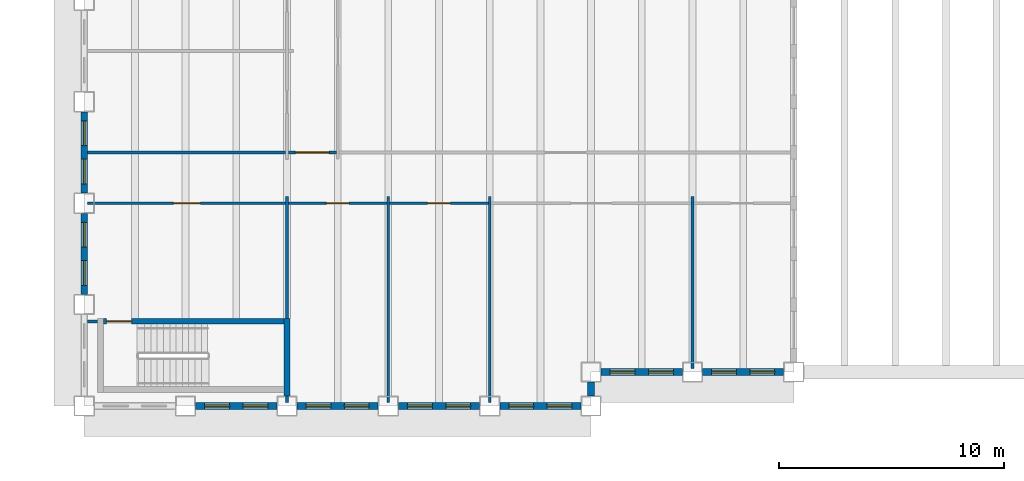
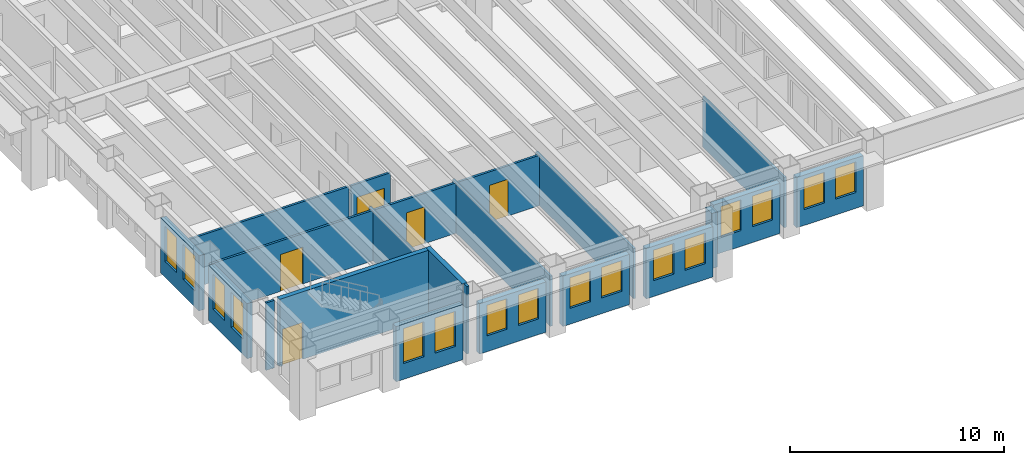
# One storey, part 3 of 13: 22 walls, 16 windows, 5 doors, 21 openings.
"""IFC4 building model written with IfcOpenShell, lengths in metres."""

from ifc_helpers import new_model, si_unit, direction, frame, frame_2d, origin, place, context, subcontext, project, spatial, rectangle, extrude, material, layer, layer_set, type_object, element, fill, save


model = new_model("IFC4")

# Units and contexts
model_context = context("Model", 3, precision=1e-05, world=origin(), true_north=direction((0.0, 1.0)))
body_context = subcontext(model_context, "Body", "Model", "MODEL_VIEW")
ifc_project = project(units=[si_unit("LENGTHUNIT", "METRE"), si_unit("AREAUNIT", "SQUARE_METRE"), si_unit("VOLUMEUNIT", "CUBIC_METRE"), si_unit("PLANEANGLEUNIT", "RADIAN"), si_unit("MASSUNIT", "GRAM", prefix="KILO")], contexts=[model_context])

# Site, building, storey
site_placement = place(None, origin())
site = spatial("IfcSite", under=ifc_project, at=site_placement, CompositionType="ELEMENT")
building_placement = place(site_placement, origin())
building = spatial("IfcBuilding", under=site, at=building_placement, Name="Sennacour Bend Tower", CompositionType="ELEMENT")
storey_placement = place(building_placement, frame((0.0, 0.0, 147.0)))
storey = spatial("IfcBuildingStorey", under=building, at=storey_placement, Name="L33", CompositionType="ELEMENT", Elevation=147.0)

# Walls
ifc_material_1 = material(Name="Plasterboard partition on steel studs", Category="steel")
ifc_layer_1 = layer(ifc_material_1, 0.1201171875, Name="Plasterboard partition on steel studs", Category="steel")
ifc_layer_set_1 = layer_set([ifc_layer_1], Name="Plasterboard partition on steel studs")
wall_type_1 = type_object("IfcWallType", Name="Partition 120", PredefinedType="PARTITIONING", material=ifc_layer_set_1)
wall_1_placement = place(storey_placement, frame((9.0, 0.14990234375, 0.0), z_axis=(0.0, 0.0, 1.0), x_axis=(0.0, 1.0, 0.0)))
element("IfcWall", 1, at=wall_1_placement, inside=storey, type_object=wall_type_1, Name="P-L33-W010a", PredefinedType="PARTITIONING", context=body_context, shape_type="SweptSolid", body=[
    extrude(rectangle(XDim=0.300048828125, YDim=0.1201171875, at=frame_2d((0.14990234375, 0.0))), origin(), (0.0, 0.0, 1.0), 3.85009765625),
])
wall_2_placement = place(storey_placement, frame((9.0, 3.875, 0.0), z_axis=(0.0, 0.0, 1.0), x_axis=(0.0, 1.0, 0.0)))
element("IfcWall", 2, at=wall_2_placement, inside=storey, type_object=wall_type_1, Name="P-L33-W012a", PredefinedType="PARTITIONING", context=body_context, shape_type="SweptSolid", body=[
    extrude(rectangle(XDim=5.425048828125, YDim=0.1201171875, at=frame_2d((2.71240234375, 0.0))), origin(), (0.0, 0.0, 1.0), 2.8701171875),
])
for number, where, z_axis, x_axis, name in (
    (3, (13.5, 0.14990234375, 0.0), (0.0, 0.0, 1.0), (0.0, 1.0, 0.0), "P-L33-W019a"),
    (4, (18.0, 0.14990234375, 0.0), (0.0, 0.0, 1.0), (0.0, 1.0, 0.0), "P-L33-W022a"),
):
    element("IfcWall", number, at=place(storey_placement, frame(where, z_axis=z_axis, x_axis=x_axis)), inside=storey, type_object=wall_type_1, Name=name, PredefinedType="PARTITIONING", context=body_context, shape_type="SweptSolid", body=[
        extrude(rectangle(XDim=9.150146484375, YDim=0.1201171875, at=frame_2d((4.5751953125, 0.0))), origin(), (0.0, 0.0, 1.0), 2.8701171875),
    ])
wall_3_placement = place(storey_placement, frame((27.0, 1.64990234375, 0.0), z_axis=(0.0, 0.0, 1.0), x_axis=(0.0, 1.0, 0.0)))
element("IfcWall", 5, at=wall_3_placement, inside=storey, type_object=wall_type_1, Name="P-L33-W027a", PredefinedType="PARTITIONING", context=body_context, shape_type="SweptSolid", body=[
    extrude(rectangle(XDim=7.650146484375, YDim=0.1201171875, at=frame_2d((3.8251953125, 0.0))), origin(), (0.0, 0.0, 1.0), 2.8701171875),
])
wall_4_placement = place(storey_placement, frame((0.14990234375, 3.75, 0.0), z_axis=(0.0, 0.0, 1.0), x_axis=(1.0, 0.0, 0.0)))
element("IfcWall", 6, at=wall_4_placement, inside=storey, type_object=wall_type_1, Name="P-L33-W049a", PredefinedType="PARTITIONING", context=body_context, shape_type="SweptSolid", body=[
    extrude(rectangle(XDim=0.4501953125, YDim=0.1201171875, at=frame_2d((0.22509765625, 0.0))), origin(), (0.0, 0.0, 1.0), 3.85009765625),
])

# Wall, opening, door
wall_5_placement = place(storey_placement, frame((9.06005859375, 9.0, 0.0), z_axis=(0.0, 0.0, 1.0), x_axis=(1.0, 0.0, 0.0)))
wall_5 = element("IfcWall", 7, at=wall_5_placement, inside=storey, type_object=wall_type_1, Name="P-L33-W056ab", PredefinedType="PARTITIONING", context=body_context, shape_type="SweptSolid", body=[
    extrude(rectangle(XDim=4.3798828125, YDim=0.1201171875, at=frame_2d((2.18994140625, 0.0))), origin(), (0.0, 0.0, 1.0), 2.8701171875),
])
opening_1_placement = place(wall_5_placement, frame((1.68994140625, 0.0, 0.0)))
opening_1 = element("IfcOpeningElement", 8, at=opening_1_placement, cuts=wall_5, Name="Opening OD2", PredefinedType="OPENING", context=body_context, shape_type="SweptSolid", body=[
    extrude(rectangle(XDim=1.0, YDim=2.10009765625, at=frame_2d((0.5, 1.050048828125))), frame((0.0, 0.070068359375, 0.0), z_axis=(0.0, -1.0, 0.0), x_axis=(1.0, 0.0, 0.0)), (0.0, 0.0, 1.0), 0.14013671875),
])
ifc_material_2 = material(Name="Timber", Category="wood")
door_type_1 = type_object("IfcDoorType", Name="DR-OFFICE-1000", OperationType="NOTDEFINED", PredefinedType="DOOR", material=ifc_material_2)
door_1_placement = place(opening_1_placement, origin())
door_1 = element("IfcDoor", 9, at=door_1_placement, inside=storey, type_object=door_type_1, Name="Door", OperationType="SINGLE_SWING_LEFT", OverallHeight=2.10009765625, OverallWidth=1.0, PredefinedType="DOOR", context=body_context, shape_type="SweptSolid", body=[
    extrude(rectangle(XDim=1.0, YDim=2.10009765625, at=frame_2d((0.5, 1.050048828125))), frame((0.0, 0.02490234375, 0.0), z_axis=(0.0, -1.0, 0.0), x_axis=(1.0, 0.0, 0.0)), (0.0, 0.0, 1.0), 0.050048828125),
])
fill(opening_1, door_1)

wall_6_placement = place(storey_placement, frame((13.56005859375, 9.0, 0.0), z_axis=(0.0, 0.0, 1.0), x_axis=(1.0, 0.0, 0.0)))
wall_6 = element("IfcWall", 10, at=wall_6_placement, inside=storey, type_object=wall_type_1, Name="P-L33-W056ac", PredefinedType="PARTITIONING", context=body_context, shape_type="SweptSolid", body=[
    extrude(rectangle(XDim=4.3798828125, YDim=0.1201171875, at=frame_2d((2.18994140625, 0.0))), origin(), (0.0, 0.0, 1.0), 2.8701171875),
])
opening_2_placement = place(wall_6_placement, frame((1.68994140625, 0.0, 0.0)))
opening_2 = element("IfcOpeningElement", 11, at=opening_2_placement, cuts=wall_6, Name="Opening MD2", PredefinedType="OPENING", context=body_context, shape_type="SweptSolid", body=[
    extrude(rectangle(XDim=1.0, YDim=2.10009765625, at=frame_2d((0.5, 1.050048828125))), frame((0.0, 0.070068359375, 0.0), z_axis=(0.0, -1.0, 0.0), x_axis=(1.0, 0.0, 0.0)), (0.0, 0.0, 1.0), 0.14013671875),
])
door_type_2 = type_object("IfcDoorType", Name="DR-MEETING-1000", OperationType="NOTDEFINED", PredefinedType="DOOR", material=ifc_material_2)
door_2_placement = place(opening_2_placement, origin())
door_2 = element("IfcDoor", 12, at=door_2_placement, inside=storey, type_object=door_type_2, Name="Door", OperationType="SINGLE_SWING_LEFT", OverallHeight=2.10009765625, OverallWidth=1.0, PredefinedType="DOOR", context=body_context, shape_type="SweptSolid", body=[
    extrude(rectangle(XDim=1.0, YDim=2.10009765625, at=frame_2d((0.5, 1.050048828125))), frame((0.0, 0.02490234375, 0.0), z_axis=(0.0, -1.0, 0.0), x_axis=(1.0, 0.0, 0.0)), (0.0, 0.0, 1.0), 0.050048828125),
])
fill(opening_2, door_2)

# Wall
wall_7_placement = place(storey_placement, frame((0.14990234375, 11.25, 0.0), z_axis=(0.0, 0.0, 1.0), x_axis=(1.0, 0.0, 0.0)))
element("IfcWall", 13, at=wall_7_placement, inside=storey, type_object=wall_type_1, Name="P-L33-W060aa", PredefinedType="PARTITIONING", context=body_context, shape_type="SweptSolid", body=[
    extrude(rectangle(XDim=8.7900390625, YDim=0.1201171875, at=frame_2d((4.39501953125, 0.0))), origin(), (0.0, 0.0, 1.0), 2.8701171875),
])

# Wall, opening, door
ifc_layer_2 = layer(ifc_material_1, 0.1201171875, Name="Plasterboard partition on steel studs", Category="steel")
ifc_layer_set_2 = layer_set([ifc_layer_2], Name="Plasterboard partition on steel studs")
wall_type_2 = type_object("IfcWallType", Name="Partition 120 EI 30", PredefinedType="PARTITIONING", material=ifc_layer_set_2)
wall_8_placement = place(storey_placement, frame((0.14990234375, 9.0, 0.0), z_axis=(0.0, 0.0, 1.0), x_axis=(1.0, 0.0, 0.0)))
wall_8 = element("IfcWall", 14, at=wall_8_placement, inside=storey, type_object=wall_type_2, Name="P-L33-W056aa", PredefinedType="PARTITIONING", context=body_context, shape_type="SweptSolid", body=[
    extrude(rectangle(XDim=8.7900390625, YDim=0.1201171875, at=frame_2d((4.39501953125, 0.0))), origin(), (0.0, 0.0, 1.0), 2.8701171875),
])
opening_3_placement = place(wall_8_placement, frame((3.80517578125, 0.0, 0.0)))
opening_3 = element("IfcOpeningElement", 15, at=opening_3_placement, cuts=wall_8, Name="Opening KD2", PredefinedType="OPENING", context=body_context, shape_type="SweptSolid", body=[
    extrude(rectangle(XDim=1.199951171875, YDim=2.10009765625, at=frame_2d((0.60009765625, 1.050048828125))), frame((0.0, 0.070068359375, 0.0), z_axis=(0.0, -1.0, 0.0), x_axis=(1.0, 0.0, 0.0)), (0.0, 0.0, 1.0), 0.14013671875),
])
ifc_material_3 = material(Name="Painted steel", Category="steel")
door_type_3 = type_object("IfcDoorType", Name="DR-CORRIDOR-1200", OperationType="NOTDEFINED", PredefinedType="DOOR", material=ifc_material_3)
door_3_placement = place(opening_3_placement, origin())
door_3 = element("IfcDoor", 16, at=door_3_placement, inside=storey, type_object=door_type_3, Name="Door", OperationType="SINGLE_SWING_RIGHT", OverallHeight=2.10009765625, OverallWidth=1.199951171875, PredefinedType="DOOR", context=body_context, shape_type="SweptSolid", body=[
    extrude(rectangle(XDim=1.199951171875, YDim=2.10009765625, at=frame_2d((0.60009765625, 1.050048828125))), frame((0.0, 0.02490234375, 0.0), z_axis=(0.0, -1.0, 0.0), x_axis=(1.0, 0.0, 0.0)), (0.0, 0.0, 1.0), 0.050048828125),
])
fill(opening_3, door_3)

wall_9_placement = place(storey_placement, frame((9.06005859375, 11.25, 0.0), z_axis=(0.0, 0.0, 1.0), x_axis=(1.0, 0.0, 0.0)))
wall_9 = element("IfcWall", 17, at=wall_9_placement, inside=storey, type_object=wall_type_2, Name="P-L33-W060ab", PredefinedType="PARTITIONING", context=body_context, shape_type="SweptSolid", body=[
    extrude(rectangle(XDim=2.1298828125, YDim=0.1201171875, at=frame_2d((1.06494140625, 0.0))), origin(), (0.0, 0.0, 1.0), 2.8701171875),
])
opening_4_placement = place(wall_9_placement, frame((0.31494140625, 0.0, 0.0)))
opening_4 = element("IfcOpeningElement", 18, at=opening_4_placement, cuts=wall_9, Name="Opening KD", PredefinedType="OPENING", context=body_context, shape_type="SweptSolid", body=[
    extrude(rectangle(XDim=1.5, YDim=2.10009765625, at=frame_2d((0.75, 1.050048828125))), frame((0.0, 0.070068359375, 0.0), z_axis=(0.0, -1.0, 0.0), x_axis=(1.0, 0.0, 0.0)), (0.0, 0.0, 1.0), 0.14013671875),
])
door_type_4 = type_object("IfcDoorType", Name="DR-CORRIDOR-1500", OperationType="NOTDEFINED", PredefinedType="DOOR", material=ifc_material_3)
door_4_placement = place(opening_4_placement, origin())
door_4 = element("IfcDoor", 19, at=door_4_placement, inside=storey, type_object=door_type_4, Name="Door", OperationType="SINGLE_SWING_LEFT", OverallHeight=2.10009765625, OverallWidth=1.5, PredefinedType="DOOR", context=body_context, shape_type="SweptSolid", body=[
    extrude(rectangle(XDim=1.5, YDim=2.10009765625, at=frame_2d((0.75, 1.050048828125))), frame((0.0, 0.02490234375, 0.0), z_axis=(0.0, -1.0, 0.0), x_axis=(1.0, 0.0, 0.0)), (0.0, 0.0, 1.0), 0.050048828125),
])
fill(opening_4, door_4)

# Wall, openings, windows
ifc_material_4 = material(Name="Warm limestone cladding", Category="masonry")
ifc_layer_3 = layer(ifc_material_4, 0.050048828125, Name="Warm limestone cladding", Category="masonry")
ifc_material_5 = material(Name="Precast concrete C40/50", Category="concrete")
ifc_layer_4 = layer(ifc_material_5, 0.25, Name="Precast concrete C40/50", Category="concrete")
ifc_layer_set_3 = layer_set([ifc_layer_3, ifc_layer_4], Name="Precast concrete C40/50 with limestone cladding")
wall_type_3 = type_object("IfcWallType", Name="STONE-CLAD PRECAST SPANDREL 300", PredefinedType="STANDARD", material=ifc_layer_set_3)
wall_10_placement = place(storey_placement, frame((0.0, 13.050048828125, 0.0), z_axis=(0.0, 0.0, 1.0), x_axis=(0.0, -1.0, 0.0)))
wall_10 = element("IfcWall", 20, at=wall_10_placement, inside=storey, type_object=wall_type_3, Name="Stone spandrel and pier wall L33 23.02", PredefinedType="STANDARD", context=body_context, shape_type="SweptSolid", body=[
    extrude(rectangle(XDim=3.60009765625, YDim=0.300048828125, at=frame_2d((1.800048828125, 0.0))), origin(), (0.0, 0.0, 1.0), 3.14892578125),
])
opening_5_placement = place(wall_10_placement, frame((0.39990234375, 0.0, 0.89990234375)))
opening_5 = element("IfcOpeningElement", 21, at=opening_5_placement, cuts=wall_10, Name="Opening W19", PredefinedType="OPENING", context=body_context, shape_type="SweptSolid", body=[
    extrude(rectangle(XDim=1.10009765625, YDim=2.0, at=frame_2d((0.550048828125, 1.0))), frame((0.0, 0.16015625, 0.0), z_axis=(0.0, -1.0, 0.0), x_axis=(1.0, 0.0, 0.0)), (0.0, 0.0, 1.0), 0.320068359375),
])
opening_6_placement = place(wall_10_placement, frame((2.10009765625, 0.0, 0.89990234375)))
opening_6 = element("IfcOpeningElement", 22, at=opening_6_placement, cuts=wall_10, Name="Opening W19", PredefinedType="OPENING", context=body_context, shape_type="SweptSolid", body=[
    extrude(rectangle(XDim=1.10009765625, YDim=2.0, at=frame_2d((0.550048828125, 1.0))), frame((0.0, 0.16015625, 0.0), z_axis=(0.0, -1.0, 0.0), x_axis=(1.0, 0.0, 0.0)), (0.0, 0.0, 1.0), 0.320068359375),
])
ifc_material_6 = material(Name="Clear low-emissivity glass", Category="glass")
window_type_1 = type_object("IfcWindowType", Name="WIN-RIBBON-1100x2000", PartitioningType="SINGLE_PANEL", PredefinedType="WINDOW", material=ifc_material_6)
window_1_placement = place(opening_5_placement, origin())
window_1 = element("IfcWindow", 23, at=window_1_placement, inside=storey, type_object=window_type_1, Name="Ribbon window L33 23.02.0", OverallHeight=2.0, OverallWidth=1.10009765625, PartitioningType="SINGLE_PANEL", PredefinedType="WINDOW", context=body_context, shape_type="SweptSolid", body=[
    extrude(rectangle(XDim=1.10009765625, YDim=2.0, at=frame_2d((0.550048828125, 1.0))), frame((0.0, 0.030029296875, 0.0), z_axis=(0.0, -1.0, 0.0), x_axis=(1.0, 0.0, 0.0)), (0.0, 0.0, 1.0), 0.06005859375),
])
fill(opening_5, window_1)
window_2_placement = place(opening_6_placement, origin())
window_2 = element("IfcWindow", 24, at=window_2_placement, inside=storey, type_object=window_type_1, Name="Ribbon window L33 23.02.1", OverallHeight=2.0, OverallWidth=1.10009765625, PartitioningType="SINGLE_PANEL", PredefinedType="WINDOW", context=body_context, shape_type="SweptSolid", body=[
    extrude(rectangle(XDim=1.10009765625, YDim=2.0, at=frame_2d((0.550048828125, 1.0))), frame((0.0, 0.030029296875, 0.0), z_axis=(0.0, -1.0, 0.0), x_axis=(1.0, 0.0, 0.0)), (0.0, 0.0, 1.0), 0.06005859375),
])
fill(opening_6, window_2)

wall_11_placement = place(storey_placement, frame((0.0, 8.550048828125, 0.0), z_axis=(0.0, 0.0, 1.0), x_axis=(0.0, -1.0, 0.0)))
wall_11 = element("IfcWall", 25, at=wall_11_placement, inside=storey, type_object=wall_type_3, Name="Stone spandrel and pier wall L33 23.03", PredefinedType="STANDARD", context=body_context, shape_type="SweptSolid", body=[
    extrude(rectangle(XDim=3.60009765625, YDim=0.300048828125, at=frame_2d((1.800048828125, 0.0))), origin(), (0.0, 0.0, 1.0), 3.14892578125),
])
opening_7_placement = place(wall_11_placement, frame((0.39990234375, 0.0, 0.89990234375)))
opening_7 = element("IfcOpeningElement", 26, at=opening_7_placement, cuts=wall_11, Name="Opening W19", PredefinedType="OPENING", context=body_context, shape_type="SweptSolid", body=[
    extrude(rectangle(XDim=1.10009765625, YDim=2.0, at=frame_2d((0.550048828125, 1.0))), frame((0.0, 0.16015625, 0.0), z_axis=(0.0, -1.0, 0.0), x_axis=(1.0, 0.0, 0.0)), (0.0, 0.0, 1.0), 0.320068359375),
])
opening_8_placement = place(wall_11_placement, frame((2.10009765625, 0.0, 0.89990234375)))
opening_8 = element("IfcOpeningElement", 27, at=opening_8_placement, cuts=wall_11, Name="Opening W19", PredefinedType="OPENING", context=body_context, shape_type="SweptSolid", body=[
    extrude(rectangle(XDim=1.10009765625, YDim=2.0, at=frame_2d((0.550048828125, 1.0))), frame((0.0, 0.16015625, 0.0), z_axis=(0.0, -1.0, 0.0), x_axis=(1.0, 0.0, 0.0)), (0.0, 0.0, 1.0), 0.320068359375),
])
window_3_placement = place(opening_7_placement, origin())
window_3 = element("IfcWindow", 28, at=window_3_placement, inside=storey, type_object=window_type_1, Name="Ribbon window L33 23.03.0", OverallHeight=2.0, OverallWidth=1.10009765625, PartitioningType="SINGLE_PANEL", PredefinedType="WINDOW", context=body_context, shape_type="SweptSolid", body=[
    extrude(rectangle(XDim=1.10009765625, YDim=2.0, at=frame_2d((0.550048828125, 1.0))), frame((0.0, 0.030029296875, 0.0), z_axis=(0.0, -1.0, 0.0), x_axis=(1.0, 0.0, 0.0)), (0.0, 0.0, 1.0), 0.06005859375),
])
fill(opening_7, window_3)
window_4_placement = place(opening_8_placement, origin())
window_4 = element("IfcWindow", 29, at=window_4_placement, inside=storey, type_object=window_type_1, Name="Ribbon window L33 23.03.1", OverallHeight=2.0, OverallWidth=1.10009765625, PartitioningType="SINGLE_PANEL", PredefinedType="WINDOW", context=body_context, shape_type="SweptSolid", body=[
    extrude(rectangle(XDim=1.10009765625, YDim=2.0, at=frame_2d((0.550048828125, 1.0))), frame((0.0, 0.030029296875, 0.0), z_axis=(0.0, -1.0, 0.0), x_axis=(1.0, 0.0, 0.0)), (0.0, 0.0, 1.0), 0.06005859375),
])
fill(opening_8, window_4)

wall_12_placement = place(storey_placement, frame((4.949951171875, 0.0, 0.0), z_axis=(0.0, 0.0, 1.0), x_axis=(1.0, 0.0, 0.0)))
wall_12 = element("IfcWall", 30, at=wall_12_placement, inside=storey, type_object=wall_type_3, Name="Stone spandrel and pier wall L33 24.01", PredefinedType="STANDARD", context=body_context, shape_type="SweptSolid", body=[
    extrude(rectangle(XDim=3.60009765625, YDim=0.300048828125, at=frame_2d((1.800048828125, 0.0))), origin(), (0.0, 0.0, 1.0), 3.14892578125),
])
opening_9_placement = place(wall_12_placement, frame((0.39990234375, 0.0, 0.89990234375)))
opening_9 = element("IfcOpeningElement", 31, at=opening_9_placement, cuts=wall_12, Name="Opening W19", PredefinedType="OPENING", context=body_context, shape_type="SweptSolid", body=[
    extrude(rectangle(XDim=1.10009765625, YDim=2.0, at=frame_2d((0.550048828125, 1.0))), frame((0.0, 0.16015625, 0.0), z_axis=(0.0, -1.0, 0.0), x_axis=(1.0, 0.0, 0.0)), (0.0, 0.0, 1.0), 0.320068359375),
])
opening_10_placement = place(wall_12_placement, frame((2.10009765625, 0.0, 0.89990234375)))
opening_10 = element("IfcOpeningElement", 32, at=opening_10_placement, cuts=wall_12, Name="Opening W19", PredefinedType="OPENING", context=body_context, shape_type="SweptSolid", body=[
    extrude(rectangle(XDim=1.10009765625, YDim=2.0, at=frame_2d((0.550048828125, 1.0))), frame((0.0, 0.16015625, 0.0), z_axis=(0.0, -1.0, 0.0), x_axis=(1.0, 0.0, 0.0)), (0.0, 0.0, 1.0), 0.320068359375),
])
window_5_placement = place(opening_9_placement, origin())
window_5 = element("IfcWindow", 33, at=window_5_placement, inside=storey, type_object=window_type_1, Name="Ribbon window L33 24.01.0", OverallHeight=2.0, OverallWidth=1.10009765625, PartitioningType="SINGLE_PANEL", PredefinedType="WINDOW", context=body_context, shape_type="SweptSolid", body=[
    extrude(rectangle(XDim=1.10009765625, YDim=2.0, at=frame_2d((0.550048828125, 1.0))), frame((0.0, 0.030029296875, 0.0), z_axis=(0.0, -1.0, 0.0), x_axis=(1.0, 0.0, 0.0)), (0.0, 0.0, 1.0), 0.06005859375),
])
fill(opening_9, window_5)
window_6_placement = place(opening_10_placement, origin())
window_6 = element("IfcWindow", 34, at=window_6_placement, inside=storey, type_object=window_type_1, Name="Ribbon window L33 24.01.1", OverallHeight=2.0, OverallWidth=1.10009765625, PartitioningType="SINGLE_PANEL", PredefinedType="WINDOW", context=body_context, shape_type="SweptSolid", body=[
    extrude(rectangle(XDim=1.10009765625, YDim=2.0, at=frame_2d((0.550048828125, 1.0))), frame((0.0, 0.030029296875, 0.0), z_axis=(0.0, -1.0, 0.0), x_axis=(1.0, 0.0, 0.0)), (0.0, 0.0, 1.0), 0.06005859375),
])
fill(opening_10, window_6)

wall_13_placement = place(storey_placement, frame((9.449951171875, 0.0, 0.0), z_axis=(0.0, 0.0, 1.0), x_axis=(1.0, 0.0, 0.0)))
wall_13 = element("IfcWall", 35, at=wall_13_placement, inside=storey, type_object=wall_type_3, Name="Stone spandrel and pier wall L33 24.02", PredefinedType="STANDARD", context=body_context, shape_type="SweptSolid", body=[
    extrude(rectangle(XDim=3.60009765625, YDim=0.300048828125, at=frame_2d((1.800048828125, 0.0))), origin(), (0.0, 0.0, 1.0), 2.8701171875),
])
opening_11_placement = place(wall_13_placement, frame((0.39990234375, 0.0, 0.89990234375)))
opening_11 = element("IfcOpeningElement", 36, at=opening_11_placement, cuts=wall_13, Name="Opening W17", PredefinedType="OPENING", context=body_context, shape_type="SweptSolid", body=[
    extrude(rectangle(XDim=1.10009765625, YDim=1.75, at=frame_2d((0.550048828125, 0.875))), frame((0.0, 0.16015625, 0.0), z_axis=(0.0, -1.0, 0.0), x_axis=(1.0, 0.0, 0.0)), (0.0, 0.0, 1.0), 0.320068359375),
])
opening_12_placement = place(wall_13_placement, frame((2.10009765625, 0.0, 0.89990234375)))
opening_12 = element("IfcOpeningElement", 37, at=opening_12_placement, cuts=wall_13, Name="Opening W17", PredefinedType="OPENING", context=body_context, shape_type="SweptSolid", body=[
    extrude(rectangle(XDim=1.10009765625, YDim=1.75, at=frame_2d((0.550048828125, 0.875))), frame((0.0, 0.16015625, 0.0), z_axis=(0.0, -1.0, 0.0), x_axis=(1.0, 0.0, 0.0)), (0.0, 0.0, 1.0), 0.320068359375),
])
window_type_2 = type_object("IfcWindowType", Name="WIN-RIBBON-1100x1750", PartitioningType="SINGLE_PANEL", PredefinedType="WINDOW", material=ifc_material_6)
window_7_placement = place(opening_11_placement, origin())
window_7 = element("IfcWindow", 38, at=window_7_placement, inside=storey, type_object=window_type_2, Name="Ribbon window L33 24.02.0", OverallHeight=1.75, OverallWidth=1.10009765625, PartitioningType="SINGLE_PANEL", PredefinedType="WINDOW", context=body_context, shape_type="SweptSolid", body=[
    extrude(rectangle(XDim=1.10009765625, YDim=1.75, at=frame_2d((0.550048828125, 0.875))), frame((0.0, 0.030029296875, 0.0), z_axis=(0.0, -1.0, 0.0), x_axis=(1.0, 0.0, 0.0)), (0.0, 0.0, 1.0), 0.06005859375),
])
fill(opening_11, window_7)
window_8_placement = place(opening_12_placement, origin())
window_8 = element("IfcWindow", 39, at=window_8_placement, inside=storey, type_object=window_type_2, Name="Ribbon window L33 24.02.1", OverallHeight=1.75, OverallWidth=1.10009765625, PartitioningType="SINGLE_PANEL", PredefinedType="WINDOW", context=body_context, shape_type="SweptSolid", body=[
    extrude(rectangle(XDim=1.10009765625, YDim=1.75, at=frame_2d((0.550048828125, 0.875))), frame((0.0, 0.030029296875, 0.0), z_axis=(0.0, -1.0, 0.0), x_axis=(1.0, 0.0, 0.0)), (0.0, 0.0, 1.0), 0.06005859375),
])
fill(opening_12, window_8)

wall_14_placement = place(storey_placement, frame((13.949951171875, 0.0, 0.0), z_axis=(0.0, 0.0, 1.0), x_axis=(1.0, 0.0, 0.0)))
wall_14 = element("IfcWall", 40, at=wall_14_placement, inside=storey, type_object=wall_type_3, Name="Stone spandrel and pier wall L33 24.03", PredefinedType="STANDARD", context=body_context, shape_type="SweptSolid", body=[
    extrude(rectangle(XDim=3.60009765625, YDim=0.300048828125, at=frame_2d((1.800048828125, 0.0))), origin(), (0.0, 0.0, 1.0), 2.8701171875),
])
opening_13_placement = place(wall_14_placement, frame((0.39990234375, 0.0, 0.89990234375)))
opening_13 = element("IfcOpeningElement", 41, at=opening_13_placement, cuts=wall_14, Name="Opening W17", PredefinedType="OPENING", context=body_context, shape_type="SweptSolid", body=[
    extrude(rectangle(XDim=1.10009765625, YDim=1.75, at=frame_2d((0.550048828125, 0.875))), frame((0.0, 0.16015625, 0.0), z_axis=(0.0, -1.0, 0.0), x_axis=(1.0, 0.0, 0.0)), (0.0, 0.0, 1.0), 0.320068359375),
])
opening_14_placement = place(wall_14_placement, frame((2.10009765625, 0.0, 0.89990234375)))
opening_14 = element("IfcOpeningElement", 42, at=opening_14_placement, cuts=wall_14, Name="Opening W17", PredefinedType="OPENING", context=body_context, shape_type="SweptSolid", body=[
    extrude(rectangle(XDim=1.10009765625, YDim=1.75, at=frame_2d((0.550048828125, 0.875))), frame((0.0, 0.16015625, 0.0), z_axis=(0.0, -1.0, 0.0), x_axis=(1.0, 0.0, 0.0)), (0.0, 0.0, 1.0), 0.320068359375),
])
window_9_placement = place(opening_13_placement, origin())
window_9 = element("IfcWindow", 43, at=window_9_placement, inside=storey, type_object=window_type_2, Name="Ribbon window L33 24.03.0", OverallHeight=1.75, OverallWidth=1.10009765625, PartitioningType="SINGLE_PANEL", PredefinedType="WINDOW", context=body_context, shape_type="SweptSolid", body=[
    extrude(rectangle(XDim=1.10009765625, YDim=1.75, at=frame_2d((0.550048828125, 0.875))), frame((0.0, 0.030029296875, 0.0), z_axis=(0.0, -1.0, 0.0), x_axis=(1.0, 0.0, 0.0)), (0.0, 0.0, 1.0), 0.06005859375),
])
fill(opening_13, window_9)
window_10_placement = place(opening_14_placement, origin())
window_10 = element("IfcWindow", 44, at=window_10_placement, inside=storey, type_object=window_type_2, Name="Ribbon window L33 24.03.1", OverallHeight=1.75, OverallWidth=1.10009765625, PartitioningType="SINGLE_PANEL", PredefinedType="WINDOW", context=body_context, shape_type="SweptSolid", body=[
    extrude(rectangle(XDim=1.10009765625, YDim=1.75, at=frame_2d((0.550048828125, 0.875))), frame((0.0, 0.030029296875, 0.0), z_axis=(0.0, -1.0, 0.0), x_axis=(1.0, 0.0, 0.0)), (0.0, 0.0, 1.0), 0.06005859375),
])
fill(opening_14, window_10)

wall_15_placement = place(storey_placement, frame((18.449951171875, 0.0, 0.0), z_axis=(0.0, 0.0, 1.0), x_axis=(1.0, 0.0, 0.0)))
wall_15 = element("IfcWall", 45, at=wall_15_placement, inside=storey, type_object=wall_type_3, Name="Stone spandrel and pier wall L33 24.04", PredefinedType="STANDARD", context=body_context, shape_type="SweptSolid", body=[
    extrude(rectangle(XDim=3.60009765625, YDim=0.300048828125, at=frame_2d((1.800048828125, 0.0))), origin(), (0.0, 0.0, 1.0), 2.8701171875),
])
opening_15_placement = place(wall_15_placement, frame((0.39990234375, 0.0, 0.89990234375)))
opening_15 = element("IfcOpeningElement", 46, at=opening_15_placement, cuts=wall_15, Name="Opening W17", PredefinedType="OPENING", context=body_context, shape_type="SweptSolid", body=[
    extrude(rectangle(XDim=1.10009765625, YDim=1.75, at=frame_2d((0.550048828125, 0.875))), frame((0.0, 0.16015625, 0.0), z_axis=(0.0, -1.0, 0.0), x_axis=(1.0, 0.0, 0.0)), (0.0, 0.0, 1.0), 0.320068359375),
])
opening_16_placement = place(wall_15_placement, frame((2.10009765625, 0.0, 0.89990234375)))
opening_16 = element("IfcOpeningElement", 47, at=opening_16_placement, cuts=wall_15, Name="Opening W17", PredefinedType="OPENING", context=body_context, shape_type="SweptSolid", body=[
    extrude(rectangle(XDim=1.10009765625, YDim=1.75, at=frame_2d((0.550048828125, 0.875))), frame((0.0, 0.16015625, 0.0), z_axis=(0.0, -1.0, 0.0), x_axis=(1.0, 0.0, 0.0)), (0.0, 0.0, 1.0), 0.320068359375),
])
window_11_placement = place(opening_15_placement, origin())
window_11 = element("IfcWindow", 48, at=window_11_placement, inside=storey, type_object=window_type_2, Name="Ribbon window L33 24.04.0", OverallHeight=1.75, OverallWidth=1.10009765625, PartitioningType="SINGLE_PANEL", PredefinedType="WINDOW", context=body_context, shape_type="SweptSolid", body=[
    extrude(rectangle(XDim=1.10009765625, YDim=1.75, at=frame_2d((0.550048828125, 0.875))), frame((0.0, 0.030029296875, 0.0), z_axis=(0.0, -1.0, 0.0), x_axis=(1.0, 0.0, 0.0)), (0.0, 0.0, 1.0), 0.06005859375),
])
fill(opening_15, window_11)
window_12_placement = place(opening_16_placement, origin())
window_12 = element("IfcWindow", 49, at=window_12_placement, inside=storey, type_object=window_type_2, Name="Ribbon window L33 24.04.1", OverallHeight=1.75, OverallWidth=1.10009765625, PartitioningType="SINGLE_PANEL", PredefinedType="WINDOW", context=body_context, shape_type="SweptSolid", body=[
    extrude(rectangle(XDim=1.10009765625, YDim=1.75, at=frame_2d((0.550048828125, 0.875))), frame((0.0, 0.030029296875, 0.0), z_axis=(0.0, -1.0, 0.0), x_axis=(1.0, 0.0, 0.0)), (0.0, 0.0, 1.0), 0.06005859375),
])
fill(opening_16, window_12)

# Wall
wall_16_placement = place(storey_placement, frame((22.5, 0.449951171875, 0.0), z_axis=(0.0, 0.0, 1.0), x_axis=(0.0, 1.0, 0.0)))
element("IfcWall", 50, at=wall_16_placement, inside=storey, type_object=wall_type_3, Name="Stone spandrel and pier wall L33 25.00", PredefinedType="STANDARD", context=body_context, shape_type="SweptSolid", body=[
    extrude(rectangle(XDim=0.60009765625, YDim=0.300048828125, at=frame_2d((0.300048828125, 0.0))), origin(), (0.0, 0.0, 1.0), 3.14892578125),
])

# Wall, openings, windows
wall_17_placement = place(storey_placement, frame((22.949951171875, 1.5, 0.0), z_axis=(0.0, 0.0, 1.0), x_axis=(1.0, 0.0, 0.0)))
wall_17 = element("IfcWall", 51, at=wall_17_placement, inside=storey, type_object=wall_type_3, Name="Stone spandrel and pier wall L33 26.00", PredefinedType="STANDARD", context=body_context, shape_type="SweptSolid", body=[
    extrude(rectangle(XDim=3.60009765625, YDim=0.300048828125, at=frame_2d((1.800048828125, 0.0))), origin(), (0.0, 0.0, 1.0), 2.8701171875),
])
opening_17_placement = place(wall_17_placement, frame((0.39990234375, 0.0, 0.89990234375)))
opening_17 = element("IfcOpeningElement", 52, at=opening_17_placement, cuts=wall_17, Name="Opening W17", PredefinedType="OPENING", context=body_context, shape_type="SweptSolid", body=[
    extrude(rectangle(XDim=1.10009765625, YDim=1.75, at=frame_2d((0.550048828125, 0.875))), frame((0.0, 0.16015625, 0.0), z_axis=(0.0, -1.0, 0.0), x_axis=(1.0, 0.0, 0.0)), (0.0, 0.0, 1.0), 0.320068359375),
])
opening_18_placement = place(wall_17_placement, frame((2.10009765625, 0.0, 0.89990234375)))
opening_18 = element("IfcOpeningElement", 53, at=opening_18_placement, cuts=wall_17, Name="Opening W17", PredefinedType="OPENING", context=body_context, shape_type="SweptSolid", body=[
    extrude(rectangle(XDim=1.10009765625, YDim=1.75, at=frame_2d((0.550048828125, 0.875))), frame((0.0, 0.16015625, 0.0), z_axis=(0.0, -1.0, 0.0), x_axis=(1.0, 0.0, 0.0)), (0.0, 0.0, 1.0), 0.320068359375),
])
window_13_placement = place(opening_17_placement, origin())
window_13 = element("IfcWindow", 54, at=window_13_placement, inside=storey, type_object=window_type_2, Name="Ribbon window L33 26.00.0", OverallHeight=1.75, OverallWidth=1.10009765625, PartitioningType="SINGLE_PANEL", PredefinedType="WINDOW", context=body_context, shape_type="SweptSolid", body=[
    extrude(rectangle(XDim=1.10009765625, YDim=1.75, at=frame_2d((0.550048828125, 0.875))), frame((0.0, 0.030029296875, 0.0), z_axis=(0.0, -1.0, 0.0), x_axis=(1.0, 0.0, 0.0)), (0.0, 0.0, 1.0), 0.06005859375),
])
fill(opening_17, window_13)
window_14_placement = place(opening_18_placement, origin())
window_14 = element("IfcWindow", 55, at=window_14_placement, inside=storey, type_object=window_type_2, Name="Ribbon window L33 26.00.1", OverallHeight=1.75, OverallWidth=1.10009765625, PartitioningType="SINGLE_PANEL", PredefinedType="WINDOW", context=body_context, shape_type="SweptSolid", body=[
    extrude(rectangle(XDim=1.10009765625, YDim=1.75, at=frame_2d((0.550048828125, 0.875))), frame((0.0, 0.030029296875, 0.0), z_axis=(0.0, -1.0, 0.0), x_axis=(1.0, 0.0, 0.0)), (0.0, 0.0, 1.0), 0.06005859375),
])
fill(opening_18, window_14)

wall_18_placement = place(storey_placement, frame((27.449951171875, 1.5, 0.0), z_axis=(0.0, 0.0, 1.0), x_axis=(1.0, 0.0, 0.0)))
wall_18 = element("IfcWall", 56, at=wall_18_placement, inside=storey, type_object=wall_type_3, Name="Stone spandrel and pier wall L33 26.01", PredefinedType="STANDARD", context=body_context, shape_type="SweptSolid", body=[
    extrude(rectangle(XDim=3.60009765625, YDim=0.300048828125, at=frame_2d((1.800048828125, 0.0))), origin(), (0.0, 0.0, 1.0), 2.8701171875),
])
opening_19_placement = place(wall_18_placement, frame((0.39990234375, 0.0, 0.89990234375)))
opening_19 = element("IfcOpeningElement", 57, at=opening_19_placement, cuts=wall_18, Name="Opening W17", PredefinedType="OPENING", context=body_context, shape_type="SweptSolid", body=[
    extrude(rectangle(XDim=1.10009765625, YDim=1.75, at=frame_2d((0.550048828125, 0.875))), frame((0.0, 0.16015625, 0.0), z_axis=(0.0, -1.0, 0.0), x_axis=(1.0, 0.0, 0.0)), (0.0, 0.0, 1.0), 0.320068359375),
])
opening_20_placement = place(wall_18_placement, frame((2.10009765625, 0.0, 0.89990234375)))
opening_20 = element("IfcOpeningElement", 58, at=opening_20_placement, cuts=wall_18, Name="Opening W17", PredefinedType="OPENING", context=body_context, shape_type="SweptSolid", body=[
    extrude(rectangle(XDim=1.10009765625, YDim=1.75, at=frame_2d((0.550048828125, 0.875))), frame((0.0, 0.16015625, 0.0), z_axis=(0.0, -1.0, 0.0), x_axis=(1.0, 0.0, 0.0)), (0.0, 0.0, 1.0), 0.320068359375),
])
window_15_placement = place(opening_19_placement, origin())
window_15 = element("IfcWindow", 59, at=window_15_placement, inside=storey, type_object=window_type_2, Name="Ribbon window L33 26.01.0", OverallHeight=1.75, OverallWidth=1.10009765625, PartitioningType="SINGLE_PANEL", PredefinedType="WINDOW", context=body_context, shape_type="SweptSolid", body=[
    extrude(rectangle(XDim=1.10009765625, YDim=1.75, at=frame_2d((0.550048828125, 0.875))), frame((0.0, 0.030029296875, 0.0), z_axis=(0.0, -1.0, 0.0), x_axis=(1.0, 0.0, 0.0)), (0.0, 0.0, 1.0), 0.06005859375),
])
fill(opening_19, window_15)
window_16_placement = place(opening_20_placement, origin())
window_16 = element("IfcWindow", 60, at=window_16_placement, inside=storey, type_object=window_type_2, Name="Ribbon window L33 26.01.1", OverallHeight=1.75, OverallWidth=1.10009765625, PartitioningType="SINGLE_PANEL", PredefinedType="WINDOW", context=body_context, shape_type="SweptSolid", body=[
    extrude(rectangle(XDim=1.10009765625, YDim=1.75, at=frame_2d((0.550048828125, 0.875))), frame((0.0, 0.030029296875, 0.0), z_axis=(0.0, -1.0, 0.0), x_axis=(1.0, 0.0, 0.0)), (0.0, 0.0, 1.0), 0.06005859375),
])
fill(opening_20, window_16)

# Wall
ifc_material_7 = material(Name="Concrete C60/75", Category="concrete")
ifc_layer_5 = layer(ifc_material_7, 0.25, Name="Concrete C60/75", Category="concrete")
ifc_layer_set_4 = layer_set([ifc_layer_5], Name="Concrete C60/75")
wall_type_4 = type_object("IfcWallType", Name="Stair wall 250", PredefinedType="SHEAR", material=ifc_layer_set_4)
wall_19_placement = place(storey_placement, frame((9.0, 0.449951171875, 0.0), z_axis=(0.0, 0.0, 1.0), x_axis=(0.0, 1.0, 0.0)))
element("IfcWall", 61, at=wall_19_placement, inside=storey, type_object=wall_type_4, Name="P-L33-W011", PredefinedType="SHEAR", context=body_context, shape_type="SweptSolid", body=[
    extrude(rectangle(XDim=3.425048828125, YDim=0.25, at=frame_2d((1.71240234375, 0.0))), origin(), (0.0, 0.0, 1.0), 3.85009765625),
])

# Wall, opening, door
wall_20_placement = place(storey_placement, frame((0.85009765625, 3.75, 0.0), z_axis=(0.0, 0.0, 1.0), x_axis=(1.0, 0.0, 0.0)))
wall_20 = element("IfcWall", 62, at=wall_20_placement, inside=storey, type_object=wall_type_4, Name="P-L33-W050", PredefinedType="SHEAR", context=body_context, shape_type="SweptSolid", body=[
    extrude(rectangle(XDim=8.02490234375, YDim=0.25, at=frame_2d((4.012451171875, 0.0))), origin(), (0.0, 0.0, 1.0), 3.85009765625),
])
opening_21_placement = place(wall_20_placement, frame((0.14990234375, 0.0, 0.0)))
opening_21 = element("IfcOpeningElement", 63, at=opening_21_placement, cuts=wall_20, Name="Opening SD", PredefinedType="OPENING", context=body_context, shape_type="SweptSolid", body=[
    extrude(rectangle(XDim=1.10009765625, YDim=2.10009765625, at=frame_2d((0.550048828125, 1.050048828125))), frame((0.0, 0.135009765625, 0.0), z_axis=(0.0, -1.0, 0.0), x_axis=(1.0, 0.0, 0.0)), (0.0, 0.0, 1.0), 0.27001953125),
])
door_type_5 = type_object("IfcDoorType", Name="DR-STAIR-1100", OperationType="NOTDEFINED", PredefinedType="DOOR", material=ifc_material_3)
door_5_placement = place(opening_21_placement, origin())
door_5 = element("IfcDoor", 64, at=door_5_placement, inside=storey, type_object=door_type_5, Name="Door", OperationType="SINGLE_SWING_LEFT", OverallHeight=2.10009765625, OverallWidth=1.10009765625, PredefinedType="DOOR", context=body_context, shape_type="SweptSolid", body=[
    extrude(rectangle(XDim=1.10009765625, YDim=2.10009765625, at=frame_2d((0.550048828125, 1.050048828125))), frame((0.0, 0.02490234375, 0.0), z_axis=(0.0, -1.0, 0.0), x_axis=(1.0, 0.0, 0.0)), (0.0, 0.0, 1.0), 0.050048828125),
])
fill(opening_21, door_5)

save(model, "model.ifc")
